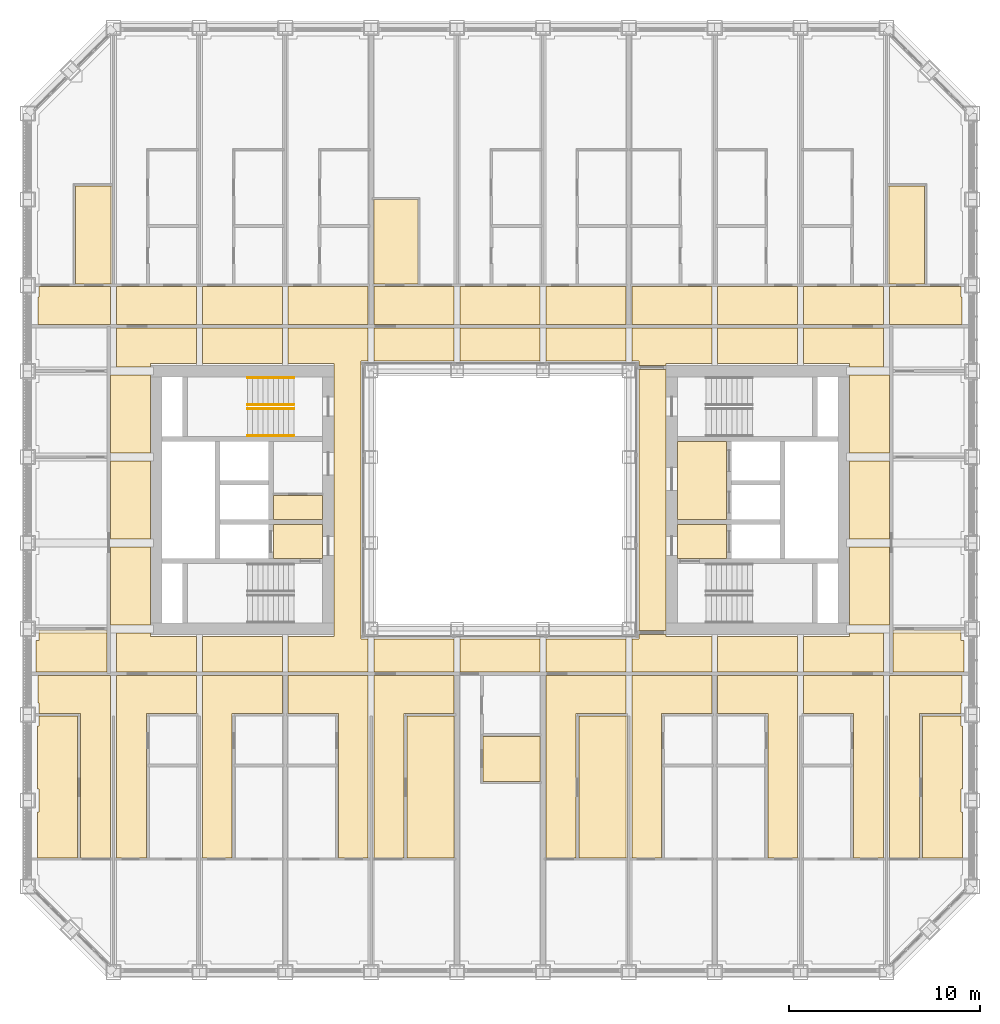
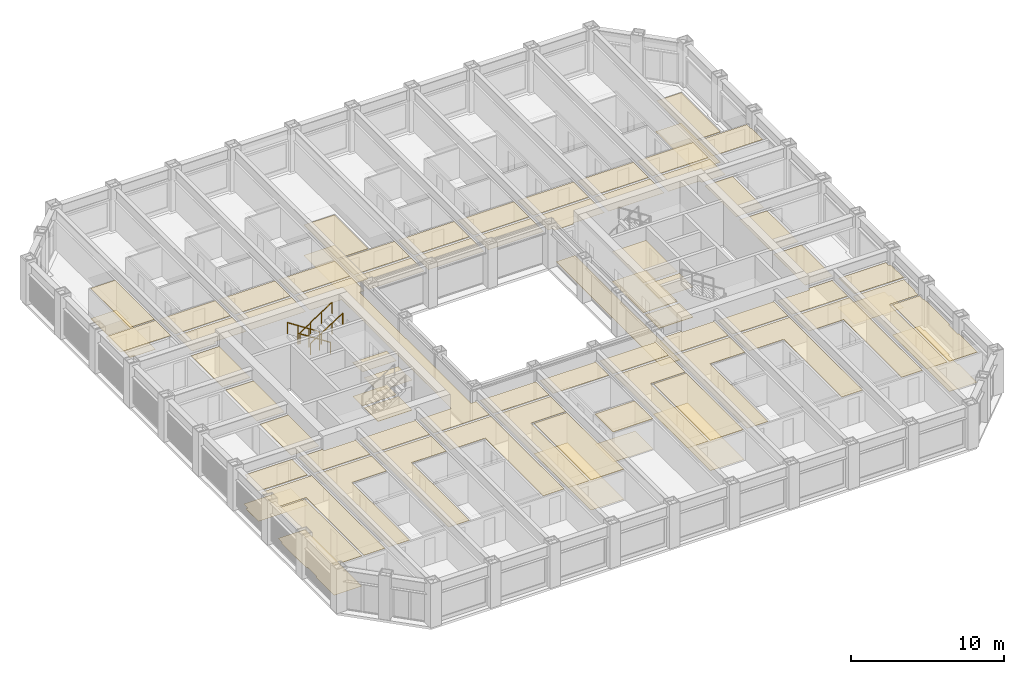
# One storey, part 18 of 21: 5 coverings, 4 railings.
"""IFC4 building model written with IfcOpenShell, lengths in metres."""

from ifc_helpers import new_model, si_unit, direction, frame, origin, origin_2d, place, context, subcontext, project, spatial, line, indexed_curve, circle, outline, extrude, material, layer, layer_set, type_object, element, save


model = new_model("IFC4")

# Units and contexts
model_context = context("Model", 3, precision=1e-05, world=origin(), true_north=direction((0.0, 1.0)))
body_context = subcontext(model_context, "Body", "Model", "MODEL_VIEW")
ifc_project = project(units=[si_unit("LENGTHUNIT", "METRE"), si_unit("AREAUNIT", "SQUARE_METRE"), si_unit("VOLUMEUNIT", "CUBIC_METRE"), si_unit("PLANEANGLEUNIT", "RADIAN"), si_unit("MASSUNIT", "GRAM", prefix="KILO")], contexts=[model_context])

# Site, building, storey
site_placement = place(None, origin())
site = spatial("IfcSite", under=ifc_project, at=site_placement, CompositionType="ELEMENT")
building_placement = place(site_placement, origin())
building = spatial("IfcBuilding", under=site, at=building_placement, Name="Msasa Ring Tower", CompositionType="ELEMENT")
storey_placement = place(building_placement, frame((0.0, 0.0, 75.5)))
storey = spatial("IfcBuildingStorey", under=building, at=storey_placement, Name="L19", CompositionType="ELEMENT", Elevation=75.5)

# Coverings
ifc_material_1 = material(Name="Gypsum plasterboard on a steel suspension grid", Category="steel")
ifc_layer_1 = layer(ifc_material_1, 0.014892578125)
ifc_layer_set_1 = layer_set([ifc_layer_1], Name="C1 SUSPENDED PLASTERBOARD CEILING 15")
covering_type_1 = type_object("IfcCoveringType", Name="C1 SUSPENDED PLASTERBOARD CEILING 15", PredefinedType="CEILING", material=ifc_layer_set_1)
covering_1_placement = place(storey_placement, frame((0.0, 0.0, 2.39990234375)))
element("IfcCovering", 1, at=covering_1_placement, inside=storey, type_object=covering_type_1, Name="Suspended Plasterboard Ceiling 15 circulation L19", PredefinedType="CEILING", context=body_context, shape_type="SweptSolid", body=[
    extrude(outline(indexed_curve([(-21.969482421875, -18.757080078125), (-21.969482421875, -11.18701171875), (-24.1494140625, -11.18701171875), (-24.1494140625, -10.6494140625), (-24.199462890625, -10.6494140625), (-24.199462890625, -9.200439453125), (-20.404296875, -9.200439453125), (-20.404296875, -18.757080078125)], segments=[line(1, 2, 3, 4, 5, 6, 7, 8, 1)], self_intersect=False)), origin(), (0.0, 0.0, 1.0), 0.01513671875),
    extrude(outline(indexed_curve([(-24.199462890625, 10.6494140625), (-24.1494140625, 10.6494140625), (-24.1494140625, 11.18701171875), (-20.404296875, 11.18701171875), (-20.404296875, 9.200439453125), (-24.199462890625, 9.200439453125)], segments=[line(1, 2, 3, 4, 5, 6, 1)], self_intersect=False)), origin(), (0.0, 0.0, 1.0), 0.01513671875),
    extrude(outline(indexed_curve([(-20.3994140625, -2.460693359375), (-18.300537109375, -2.460693359375), (-18.300537109375, -6.539306640625), (-20.3994140625, -6.539306640625)], segments=[line(1, 2, 3, 4, 1)], self_intersect=False)), origin(), (0.0, 0.0, 1.0), 0.01513671875),
    extrude(outline(indexed_curve([(-20.3994140625, 2.039306640625), (-18.300537109375, 2.039306640625), (-18.300537109375, -2.039306640625), (-20.3994140625, -2.039306640625)], segments=[line(1, 2, 3, 4, 1)], self_intersect=False)), origin(), (0.0, 0.0, 1.0), 0.01513671875),
    extrude(outline(indexed_curve([(-20.3994140625, 6.539306640625), (-18.300537109375, 6.539306640625), (-18.300537109375, 2.460693359375), (-20.3994140625, 2.460693359375)], segments=[line(1, 2, 3, 4, 1)], self_intersect=False)), origin(), (0.0, 0.0, 1.0), 0.01513671875),
    extrude(outline(indexed_curve([(-18.530517578125, -11.18701171875), (-18.530517578125, -18.757080078125), (-20.095703125, -18.757080078125), (-20.095703125, -9.200439453125), (-15.904296875, -9.200439453125), (-15.904296875, -11.18701171875)], segments=[line(1, 2, 3, 4, 5, 6, 1)], self_intersect=False)), origin(), (0.0, 0.0, 1.0), 0.01513671875),
    extrude(outline(indexed_curve([(-20.095703125, -8.99951171875), (-20.095703125, -6.960693359375), (-18.300537109375, -6.960693359375), (-18.300537109375, -7.150390625), (-15.904296875, -7.150390625), (-15.904296875, -8.99951171875)], segments=[line(1, 2, 3, 4, 5, 6, 1)], self_intersect=False)), origin(), (0.0, 0.0, 1.0), 0.01513671875),
    extrude(outline(indexed_curve([(-15.904296875, 8.99951171875), (-15.904296875, 7.150390625), (-18.300537109375, 7.150390625), (-18.300537109375, 6.960693359375), (-20.095703125, 6.960693359375), (-20.095703125, 8.99951171875)], segments=[line(1, 2, 3, 4, 5, 6, 1)], self_intersect=False)), origin(), (0.0, 0.0, 1.0), 0.01513671875),
    extrude(outline(indexed_curve([(-15.904296875, 11.18701171875), (-15.904296875, 9.200439453125), (-20.095703125, 9.200439453125), (-20.095703125, 11.18701171875)], segments=[line(1, 2, 3, 4, 1)], self_intersect=False)), origin(), (0.0, 0.0, 1.0), 0.01513671875),
    extrude(outline(indexed_curve([(-11.404296875, -9.200439453125), (-11.404296875, -11.18701171875), (-14.030517578125, -11.18701171875), (-14.030517578125, -18.757080078125), (-15.595703125, -18.757080078125), (-15.595703125, -9.200439453125)], segments=[line(1, 2, 3, 4, 5, 6, 1)], self_intersect=False)), origin(), (0.0, 0.0, 1.0), 0.01513671875),
    extrude(outline(indexed_curve([(-15.595703125, -8.99951171875), (-15.595703125, -7.150390625), (-11.404296875, -7.150390625), (-11.404296875, -8.99951171875)], segments=[line(1, 2, 3, 4, 1)], self_intersect=False)), origin(), (0.0, 0.0, 1.0), 0.01513671875),
    extrude(outline(indexed_curve([(-11.404296875, 8.99951171875), (-11.404296875, 7.150390625), (-15.595703125, 7.150390625), (-15.595703125, 8.99951171875)], segments=[line(1, 2, 3, 4, 1)], self_intersect=False)), origin(), (0.0, 0.0, 1.0), 0.01513671875),
    extrude(outline(indexed_curve([(-11.404296875, 11.18701171875), (-11.404296875, 9.200439453125), (-15.595703125, 9.200439453125), (-15.595703125, 11.18701171875)], segments=[line(1, 2, 3, 4, 1)], self_intersect=False)), origin(), (0.0, 0.0, 1.0), 0.01513671875),
    extrude(outline(indexed_curve([(-11.87451171875, -3.074462890625), (-11.87451171875, -1.275390625), (-9.300537109375, -1.275390625), (-9.300537109375, -3.074462890625)], segments=[line(1, 2, 3, 4, 1)], self_intersect=False)), origin(), (0.0, 0.0, 1.0), 0.01513671875),
    extrude(outline(indexed_curve([(-8.469482421875, -18.757080078125), (-8.469482421875, -11.18701171875), (-11.095703125, -11.18701171875), (-11.095703125, -9.200439453125), (-6.904296875, -9.200439453125), (-6.904296875, -18.757080078125)], segments=[line(1, 2, 3, 4, 5, 6, 1)], self_intersect=False)), origin(), (0.0, 0.0, 1.0), 0.01513671875),
    extrude(outline(indexed_curve([(-11.095703125, -8.99951171875), (-11.095703125, -7.150390625), (-8.699462890625, -7.150390625), (-8.699462890625, 7.150390625), (-11.095703125, 7.150390625), (-11.095703125, 8.99951171875), (-6.904296875, 8.99951171875), (-6.904296875, 7.280029296875), (-7.275390625, 7.275390625), (-7.280517578125, 7.23046875), (-7.280517578125, -7.23046875), (-7.275390625, -7.275390625), (-6.904296875, -7.280029296875), (-6.904296875, -8.99951171875)], segments=[line(1, 2, 3, 4, 5, 6, 7, 8, 9, 10, 11, 12, 13, 14, 1)], self_intersect=False)), origin(), (0.0, 0.0, 1.0), 0.01513671875),
    extrude(outline(indexed_curve([(-6.904296875, 11.18701171875), (-6.904296875, 9.200439453125), (-11.095703125, 9.200439453125), (-11.095703125, 11.18701171875)], segments=[line(1, 2, 3, 4, 1)], self_intersect=False)), origin(), (0.0, 0.0, 1.0), 0.01513671875),
    extrude(outline(indexed_curve([(-6.595703125, -18.757080078125), (-6.595703125, -9.200439453125), (-2.404296875, -9.200439453125), (-2.404296875, -11.18701171875), (-5.030517578125, -11.18701171875), (-5.030517578125, -18.757080078125)], segments=[line(1, 2, 3, 4, 5, 6, 1)], self_intersect=False)), origin(), (0.0, 0.0, 1.0), 0.01513671875),
    extrude(outline(indexed_curve([(-6.595703125, -8.99951171875), (-6.595703125, -7.280029296875), (-2.404296875, -7.280029296875), (-2.404296875, -8.99951171875)], segments=[line(1, 2, 3, 4, 1)], self_intersect=False)), origin(), (0.0, 0.0, 1.0), 0.01513671875),
    extrude(outline(indexed_curve([(-2.404296875, 8.99951171875), (-2.404296875, 7.280029296875), (-6.595703125, 7.280029296875), (-6.595703125, 8.99951171875)], segments=[line(1, 2, 3, 4, 1)], self_intersect=False)), origin(), (0.0, 0.0, 1.0), 0.01513671875),
    extrude(outline(indexed_curve([(-6.595703125, 9.200439453125), (-6.595703125, 11.18701171875), (-2.404296875, 11.18701171875), (-2.404296875, 9.200439453125)], segments=[line(1, 2, 3, 4, 1)], self_intersect=False)), origin(), (0.0, 0.0, 1.0), 0.01513671875),
    extrude(outline(indexed_curve([(-2.095703125, -8.99951171875), (-2.095703125, -7.280029296875), (2.095703125, -7.280029296875), (2.095703125, -8.99951171875)], segments=[line(1, 2, 3, 4, 1)], self_intersect=False)), origin(), (0.0, 0.0, 1.0), 0.01513671875),
    extrude(outline(indexed_curve([(2.095703125, 8.99951171875), (2.095703125, 7.280029296875), (-2.095703125, 7.280029296875), (-2.095703125, 8.99951171875)], segments=[line(1, 2, 3, 4, 1)], self_intersect=False)), origin(), (0.0, 0.0, 1.0), 0.01513671875),
    extrude(outline(indexed_curve([(-2.095703125, 9.200439453125), (-2.095703125, 11.18701171875), (2.095703125, 11.18701171875), (2.095703125, 9.200439453125)], segments=[line(1, 2, 3, 4, 1)], self_intersect=False)), origin(), (0.0, 0.0, 1.0), 0.01513671875),
    extrude(outline(indexed_curve([(3.969482421875, -11.18701171875), (3.969482421875, -18.757080078125), (2.404296875, -18.757080078125), (2.404296875, -9.200439453125), (6.595703125, -9.200439453125), (6.595703125, -11.18701171875)], segments=[line(1, 2, 3, 4, 5, 6, 1)], self_intersect=False)), origin(), (0.0, 0.0, 1.0), 0.01513671875),
    extrude(outline(indexed_curve([(2.404296875, -8.99951171875), (2.404296875, -7.280029296875), (6.595703125, -7.280029296875), (6.595703125, -8.99951171875)], segments=[line(1, 2, 3, 4, 1)], self_intersect=False)), origin(), (0.0, 0.0, 1.0), 0.01513671875),
    extrude(outline(indexed_curve([(6.595703125, 8.99951171875), (6.595703125, 7.280029296875), (2.404296875, 7.280029296875), (2.404296875, 8.99951171875)], segments=[line(1, 2, 3, 4, 1)], self_intersect=False)), origin(), (0.0, 0.0, 1.0), 0.01513671875),
    extrude(outline(indexed_curve([(2.404296875, 9.200439453125), (2.404296875, 11.18701171875), (6.595703125, 11.18701171875), (6.595703125, 9.200439453125)], segments=[line(1, 2, 3, 4, 1)], self_intersect=False)), origin(), (0.0, 0.0, 1.0), 0.01513671875),
    extrude(outline(indexed_curve([(11.095703125, -9.200439453125), (11.095703125, -11.18701171875), (8.469482421875, -11.18701171875), (8.469482421875, -18.757080078125), (6.904296875, -18.757080078125), (6.904296875, -9.200439453125)], segments=[line(1, 2, 3, 4, 5, 6, 1)], self_intersect=False)), origin(), (0.0, 0.0, 1.0), 0.01513671875),
    extrude(outline(indexed_curve([(6.904296875, -8.99951171875), (6.904296875, -7.280029296875), (7.275390625, -7.275390625), (7.280029296875, -7.050537109375), (8.699462890625, -7.050537109375), (8.699462890625, -7.150390625), (11.095703125, -7.150390625), (11.095703125, -8.99951171875)], segments=[line(1, 2, 3, 4, 5, 6, 7, 8, 1)], self_intersect=False)), origin(), (0.0, 0.0, 1.0), 0.01513671875),
    extrude(outline(indexed_curve([(11.095703125, 8.99951171875), (11.095703125, 7.150390625), (8.699462890625, 7.150390625), (8.699462890625, 7.050537109375), (7.280029296875, 7.050537109375), (7.275390625, 7.275390625), (6.904296875, 7.280029296875), (6.904296875, 8.99951171875)], segments=[line(1, 2, 3, 4, 5, 6, 7, 8, 1)], self_intersect=False)), origin(), (0.0, 0.0, 1.0), 0.01513671875),
    extrude(outline(indexed_curve([(11.095703125, 11.18701171875), (11.095703125, 9.200439453125), (6.904296875, 9.200439453125), (6.904296875, 11.18701171875)], segments=[line(1, 2, 3, 4, 1)], self_intersect=False)), origin(), (0.0, 0.0, 1.0), 0.01513671875),
    extrude(outline(indexed_curve([(9.300537109375, -3.074462890625), (9.300537109375, -1.275390625), (11.87451171875, -1.275390625), (11.87451171875, -3.074462890625)], segments=[line(1, 2, 3, 4, 1)], self_intersect=False)), origin(), (0.0, 0.0, 1.0), 0.01513671875),
    extrude(outline(indexed_curve([(9.300537109375, 3.074462890625), (11.87451171875, 3.074462890625), (11.87451171875, -1.0244140625), (9.300537109375, -1.0244140625)], segments=[line(1, 2, 3, 4, 1)], self_intersect=False)), origin(), (0.0, 0.0, 1.0), 0.01513671875),
    extrude(outline(indexed_curve([(14.030517578125, -18.757080078125), (14.030517578125, -11.18701171875), (11.404296875, -11.18701171875), (11.404296875, -9.200439453125), (15.595703125, -9.200439453125), (15.595703125, -18.757080078125)], segments=[line(1, 2, 3, 4, 5, 6, 1)], self_intersect=False)), origin(), (0.0, 0.0, 1.0), 0.01513671875),
    extrude(outline(indexed_curve([(11.404296875, -8.99951171875), (11.404296875, -7.150390625), (15.595703125, -7.150390625), (15.595703125, -8.99951171875)], segments=[line(1, 2, 3, 4, 1)], self_intersect=False)), origin(), (0.0, 0.0, 1.0), 0.01513671875),
    extrude(outline(indexed_curve([(15.595703125, 8.99951171875), (15.595703125, 7.150390625), (11.404296875, 7.150390625), (11.404296875, 8.99951171875)], segments=[line(1, 2, 3, 4, 1)], self_intersect=False)), origin(), (0.0, 0.0, 1.0), 0.01513671875),
    extrude(outline(indexed_curve([(15.595703125, 11.18701171875), (15.595703125, 9.200439453125), (11.404296875, 9.200439453125), (11.404296875, 11.18701171875)], segments=[line(1, 2, 3, 4, 1)], self_intersect=False)), origin(), (0.0, 0.0, 1.0), 0.01513671875),
    extrude(outline(indexed_curve([(18.530517578125, -18.757080078125), (18.530517578125, -11.18701171875), (15.904296875, -11.18701171875), (15.904296875, -9.200439453125), (20.095703125, -9.200439453125), (20.095703125, -18.757080078125)], segments=[line(1, 2, 3, 4, 5, 6, 1)], self_intersect=False)), origin(), (0.0, 0.0, 1.0), 0.01513671875),
    extrude(outline(indexed_curve([(15.904296875, -8.99951171875), (15.904296875, -7.150390625), (18.300537109375, -7.150390625), (18.300537109375, -6.960693359375), (20.095703125, -6.960693359375), (20.095703125, -8.99951171875)], segments=[line(1, 2, 3, 4, 5, 6, 1)], self_intersect=False)), origin(), (0.0, 0.0, 1.0), 0.01513671875),
    extrude(outline(indexed_curve([(20.095703125, 8.99951171875), (20.095703125, 6.960693359375), (18.300537109375, 6.960693359375), (18.300537109375, 7.150390625), (15.904296875, 7.150390625), (15.904296875, 8.99951171875)], segments=[line(1, 2, 3, 4, 5, 6, 1)], self_intersect=False)), origin(), (0.0, 0.0, 1.0), 0.01513671875),
    extrude(outline(indexed_curve([(20.095703125, 11.18701171875), (20.095703125, 9.200439453125), (15.904296875, 9.200439453125), (15.904296875, 11.18701171875)], segments=[line(1, 2, 3, 4, 1)], self_intersect=False)), origin(), (0.0, 0.0, 1.0), 0.01513671875),
    extrude(outline(indexed_curve([(20.3994140625, -6.539306640625), (18.300537109375, -6.539306640625), (18.300537109375, -2.460693359375), (20.3994140625, -2.460693359375)], segments=[line(1, 2, 3, 4, 1)], self_intersect=False)), origin(), (0.0, 0.0, 1.0), 0.01513671875),
    extrude(outline(indexed_curve([(20.3994140625, -2.039306640625), (18.300537109375, -2.039306640625), (18.300537109375, 2.039306640625), (20.3994140625, 2.039306640625)], segments=[line(1, 2, 3, 4, 1)], self_intersect=False)), origin(), (0.0, 0.0, 1.0), 0.01513671875),
    extrude(outline(indexed_curve([(20.3994140625, 2.460693359375), (18.300537109375, 2.460693359375), (18.300537109375, 6.539306640625), (20.3994140625, 6.539306640625)], segments=[line(1, 2, 3, 4, 1)], self_intersect=False)), origin(), (0.0, 0.0, 1.0), 0.01513671875),
    extrude(outline(indexed_curve([(24.199462890625, -9.200439453125), (24.199462890625, -10.6494140625), (24.1494140625, -10.6494140625), (24.1494140625, -11.18701171875), (21.969482421875, -11.18701171875), (21.969482421875, -18.757080078125), (20.404296875, -18.757080078125), (20.404296875, -9.200439453125)], segments=[line(1, 2, 3, 4, 5, 6, 7, 8, 1)], self_intersect=False)), origin(), (0.0, 0.0, 1.0), 0.01513671875),
    extrude(outline(indexed_curve([(24.1494140625, 11.18701171875), (24.1494140625, 10.6494140625), (24.199462890625, 10.6494140625), (24.199462890625, 9.200439453125), (20.404296875, 9.200439453125), (20.404296875, 11.18701171875)], segments=[line(1, 2, 3, 4, 5, 6, 1)], self_intersect=False)), origin(), (0.0, 0.0, 1.0), 0.01513671875),
])
ifc_material_2 = material(Name="Mineral fibre ceiling tiles on an exposed steel grid", Category="steel")
ifc_layer_2 = layer(ifc_material_2, 0.02001953125)
ifc_layer_set_2 = layer_set([ifc_layer_2], Name="C3 ACOUSTIC MINERAL FIBRE TILE CEILING 20")
covering_type_2 = type_object("IfcCoveringType", Name="C3 ACOUSTIC MINERAL FIBRE TILE CEILING 20", PredefinedType="CEILING", material=ifc_layer_set_2)
covering_2_placement = place(storey_placement, frame((0.0, 0.0, 2.699951171875)))
element("IfcCovering", 2, at=covering_2_placement, inside=storey, type_object=covering_type_2, Name="Acoustic Mineral Fibre Tile Ceiling 20 L19", PredefinedType="CEILING", context=body_context, shape_type="SweptSolid", body=[
    extrude(outline(indexed_curve([(-11.87451171875, 0.244384765625), (-9.300537109375, 0.244384765625), (-9.300537109375, -1.0244140625), (-11.87451171875, -1.0244140625)], segments=[line(1, 2, 3, 4, 1)], self_intersect=False)), origin(), (0.0, 0.0, 1.0), 0.02001953125),
])
ifc_material_3 = material(Name="Perforated aluminium ceiling pans on a steel grid", Category="steel")
ifc_layer_3 = layer(ifc_material_3, 0.02490234375)
ifc_layer_set_3 = layer_set([ifc_layer_3], Name="C4 PERFORATED METAL PAN CEILING 25")
covering_type_3 = type_object("IfcCoveringType", Name="C4 PERFORATED METAL PAN CEILING 25", PredefinedType="CEILING", material=ifc_layer_set_3)
covering_3_placement = place(storey_placement, frame((0.0, 0.0, 2.39990234375)))
element("IfcCovering", 3, at=covering_3_placement, inside=storey, type_object=covering_type_3, Name="Perforated Metal Pan Ceiling 25 L19", PredefinedType="CEILING", context=body_context, shape_type="SweptSolid", body=[
    extrude(outline(indexed_curve([(-20.6005859375, -8.99951171875), (-24.299560546875, -8.99951171875), (-24.299560546875, -7.3505859375), (-24.1494140625, -7.3505859375), (-24.1494140625, -6.960693359375), (-20.6005859375, -6.960693359375)], segments=[line(1, 2, 3, 4, 5, 6, 1)], self_intersect=False)), origin(), (0.0, 0.0, 1.0), 0.025146484375),
    extrude(outline(indexed_curve([(-24.23193359375, -18.757080078125), (-24.23193359375, -16.3505859375), (-24.1494140625, -16.3505859375), (-24.1494140625, -15.1494140625), (-24.23193359375, -15.1494140625), (-24.23193359375, -11.8505859375), (-24.1494140625, -11.8505859375), (-24.1494140625, -11.318115234375), (-22.130615234375, -11.318115234375), (-22.130615234375, -18.757080078125)], segments=[line(1, 2, 3, 4, 5, 6, 7, 8, 9, 10, 1)], self_intersect=False)), origin(), (0.0, 0.0, 1.0), 0.025146484375),
    extrude(outline(indexed_curve([(-22.24951171875, 16.4619140625), (-20.404296875, 16.4619140625), (-20.404296875, 11.31298828125), (-22.24951171875, 11.31298828125)], segments=[line(1, 2, 3, 4, 1)], self_intersect=False)), origin(), (0.0, 0.0, 1.0), 0.025146484375),
    extrude(outline(indexed_curve([(-6.595703125, 11.31298828125), (-6.595703125, 15.741943359375), (-4.300537109375, 15.741943359375), (-4.300537109375, 11.31298828125)], segments=[line(1, 2, 3, 4, 1)], self_intersect=False)), origin(), (0.0, 0.0, 1.0), 0.025146484375),
    extrude(outline(indexed_curve([(-4.869384765625, -18.757080078125), (-4.869384765625, -11.318115234375), (-2.404296875, -11.318115234375), (-2.404296875, -18.757080078125)], segments=[line(1, 2, 3, 4, 1)], self_intersect=False)), origin(), (0.0, 0.0, 1.0), 0.025146484375),
    extrude(outline(indexed_curve([(-0.8994140625, -12.380615234375), (2.095703125, -12.380615234375), (2.095703125, -14.744384765625), (-0.8994140625, -14.744384765625)], segments=[line(1, 2, 3, 4, 1)], self_intersect=False)), origin(), (0.0, 0.0, 1.0), 0.025146484375),
    extrude(outline(indexed_curve([(4.130615234375, -18.757080078125), (4.130615234375, -11.318115234375), (6.595703125, -11.318115234375), (6.595703125, -18.757080078125)], segments=[line(1, 2, 3, 4, 1)], self_intersect=False)), origin(), (0.0, 0.0, 1.0), 0.025146484375),
    extrude(outline(indexed_curve([(22.24951171875, 16.4619140625), (22.24951171875, 11.31298828125), (20.404296875, 11.31298828125), (20.404296875, 16.4619140625)], segments=[line(1, 2, 3, 4, 1)], self_intersect=False)), origin(), (0.0, 0.0, 1.0), 0.025146484375),
    extrude(outline(indexed_curve([(24.299560546875, -8.99951171875), (20.6005859375, -8.99951171875), (20.6005859375, -6.960693359375), (24.1494140625, -6.960693359375), (24.1494140625, -7.3505859375), (24.299560546875, -7.3505859375)], segments=[line(1, 2, 3, 4, 5, 6, 1)], self_intersect=False)), origin(), (0.0, 0.0, 1.0), 0.025146484375),
    extrude(outline(indexed_curve([(22.130615234375, -11.318115234375), (24.1494140625, -11.318115234375), (24.1494140625, -11.8505859375), (24.23193359375, -11.8505859375), (24.23193359375, -15.1494140625), (24.1494140625, -15.1494140625), (24.1494140625, -16.3505859375), (24.23193359375, -16.3505859375), (24.23193359375, -18.757080078125), (22.130615234375, -18.757080078125)], segments=[line(1, 2, 3, 4, 5, 6, 7, 8, 9, 10, 1)], self_intersect=False)), origin(), (0.0, 0.0, 1.0), 0.025146484375),
])
ifc_material_4 = material(Name="Honed granite tiles on a mortar bed", Category="masonry")
ifc_layer_4 = layer(ifc_material_4, 0.030029296875)
ifc_layer_set_4 = layer_set([ifc_layer_4], Name="F1 HONED GRANITE ON BEDDING 30")
covering_type_4 = type_object("IfcCoveringType", Name="F1 HONED GRANITE ON BEDDING 30", PredefinedType="FLOORING", material=ifc_layer_set_4)
covering_4_placement = place(storey_placement, origin())
element("IfcCovering", 4, at=covering_4_placement, inside=storey, type_object=covering_type_4, Name="Honed Granite On Bedding 30 L19", PredefinedType="FLOORING", context=body_context, shape_type="SweptSolid", body=[
    extrude(outline(indexed_curve([(-11.87451171875, -3.074462890625), (-11.87451171875, -1.275390625), (-9.300537109375, -1.275390625), (-9.300537109375, -3.074462890625)], segments=[line(1, 2, 3, 4, 1)], self_intersect=False)), origin(), (0.0, 0.0, 1.0), 0.030029296875),
    extrude(outline(indexed_curve([(7.280029296875, -6.849609375), (7.280029296875, 6.849609375), (8.699462890625, 6.849609375), (8.699462890625, -6.849609375)], segments=[line(1, 2, 3, 4, 1)], self_intersect=False)), origin(), (0.0, 0.0, 1.0), 0.030029296875),
    extrude(outline(indexed_curve([(9.300537109375, -3.074462890625), (9.300537109375, -1.275390625), (11.87451171875, -1.275390625), (11.87451171875, -3.074462890625)], segments=[line(1, 2, 3, 4, 1)], self_intersect=False)), origin(), (0.0, 0.0, 1.0), 0.030029296875),
    extrude(outline(indexed_curve([(9.300537109375, -1.0244140625), (9.300537109375, 3.074462890625), (11.87451171875, 3.074462890625), (11.87451171875, -1.0244140625)], segments=[line(1, 2, 3, 4, 1)], self_intersect=False)), origin(), (0.0, 0.0, 1.0), 0.030029296875),
])
ifc_material_5 = material(Name="Welded vinyl safety sheet flooring", Category="vinyl")
ifc_layer_5 = layer(ifc_material_5, 0.0029296875)
ifc_layer_set_5 = layer_set([ifc_layer_5], Name="F5 RESILIENT SHEET FLOORING 3")
covering_type_5 = type_object("IfcCoveringType", Name="F5 RESILIENT SHEET FLOORING 3", PredefinedType="FLOORING", material=ifc_layer_set_5)
covering_5_placement = place(storey_placement, origin())
element("IfcCovering", 5, at=covering_5_placement, inside=storey, type_object=covering_type_5, Name="Resilient Sheet Flooring 3 L19", PredefinedType="FLOORING", context=body_context, shape_type="SweptSolid", body=[
    extrude(outline(indexed_curve([(-20.6005859375, -8.99951171875), (-24.299560546875, -8.99951171875), (-24.299560546875, -7.3505859375), (-24.1494140625, -7.3505859375), (-24.1494140625, -6.805419921875), (-20.6005859375, -6.805419921875)], segments=[line(1, 2, 3, 4, 5, 6, 1)], self_intersect=False)), origin(), (0.0, 0.0, 1.0), 0.0029296875),
    extrude(outline(indexed_curve([(-24.23193359375, -16.3505859375), (-24.1494140625, -16.3505859375), (-24.1494140625, -15.1494140625), (-24.23193359375, -15.1494140625), (-24.23193359375, -11.8505859375), (-24.1494140625, -11.8505859375), (-24.1494140625, -11.318115234375), (-22.130615234375, -11.318115234375), (-22.130615234375, -18.74951171875), (-24.23193359375, -18.74951171875)], segments=[line(1, 2, 3, 4, 5, 6, 7, 8, 9, 10, 1)], self_intersect=False)), origin(), (0.0, 0.0, 1.0), 0.0029296875),
    extrude(outline(indexed_curve([(-22.24951171875, 16.4619140625), (-20.318115234375, 16.4619140625), (-20.318115234375, 11.31298828125), (-22.24951171875, 11.31298828125)], segments=[line(1, 2, 3, 4, 1)], self_intersect=False)), origin(), (0.0, 0.0, 1.0), 0.0029296875),
    extrude(outline(indexed_curve([(-9.300537109375, 0.244384765625), (-9.300537109375, -1.0244140625), (-11.87451171875, -1.0244140625), (-11.87451171875, 0.244384765625)], segments=[line(1, 2, 3, 4, 1)], self_intersect=False)), origin(), (0.0, 0.0, 1.0), 0.0029296875),
    extrude(outline(indexed_curve([(-4.300537109375, 15.741943359375), (-4.300537109375, 11.31298828125), (-6.62451171875, 11.31298828125), (-6.62451171875, 15.741943359375)], segments=[line(1, 2, 3, 4, 1)], self_intersect=False)), origin(), (0.0, 0.0, 1.0), 0.0029296875),
    extrude(outline(indexed_curve([(-4.869384765625, -11.318115234375), (-2.37548828125, -11.318115234375), (-2.37548828125, -18.74951171875), (-4.869384765625, -18.74951171875)], segments=[line(1, 2, 3, 4, 1)], self_intersect=False)), origin(), (0.0, 0.0, 1.0), 0.0029296875),
    extrude(outline(indexed_curve([(2.12451171875, -12.380615234375), (2.12451171875, -14.744384765625), (-0.8994140625, -14.744384765625), (-0.8994140625, -12.380615234375)], segments=[line(1, 2, 3, 4, 1)], self_intersect=False)), origin(), (0.0, 0.0, 1.0), 0.0029296875),
    extrude(outline(indexed_curve([(6.681884765625, -11.318115234375), (6.681884765625, -18.74951171875), (4.130615234375, -18.74951171875), (4.130615234375, -11.318115234375)], segments=[line(1, 2, 3, 4, 1)], self_intersect=False)), origin(), (0.0, 0.0, 1.0), 0.0029296875),
    extrude(outline(indexed_curve([(22.24951171875, 16.4619140625), (22.24951171875, 11.31298828125), (20.318115234375, 11.31298828125), (20.318115234375, 16.4619140625)], segments=[line(1, 2, 3, 4, 1)], self_intersect=False)), origin(), (0.0, 0.0, 1.0), 0.0029296875),
    extrude(outline(indexed_curve([(20.6005859375, -6.805419921875), (24.1494140625, -6.805419921875), (24.1494140625, -7.3505859375), (24.299560546875, -7.3505859375), (24.299560546875, -8.99951171875), (20.6005859375, -8.99951171875)], segments=[line(1, 2, 3, 4, 5, 6, 1)], self_intersect=False)), origin(), (0.0, 0.0, 1.0), 0.0029296875),
    extrude(outline(indexed_curve([(24.1494140625, -11.318115234375), (24.1494140625, -11.8505859375), (24.23193359375, -11.8505859375), (24.23193359375, -15.1494140625), (24.1494140625, -15.1494140625), (24.1494140625, -16.3505859375), (24.23193359375, -16.3505859375), (24.23193359375, -18.74951171875), (22.130615234375, -18.74951171875), (22.130615234375, -11.318115234375)], segments=[line(1, 2, 3, 4, 5, 6, 7, 8, 9, 10, 1)], self_intersect=False)), origin(), (0.0, 0.0, 1.0), 0.0029296875),
])

# Railings
ifc_material_6 = material(Name="Stainless steel", Category="steel")
railing_type = type_object("IfcRailingType", Name="HR1 HANDRAIL 900", PredefinedType="HANDRAIL", material=ifc_material_6)
for number, where, name in (
    (6, (-10.800048828125, 5.0, 0.175048828125), "Handrail stair SWB L19 1"),
    (7, (-10.800048828125, 6.39990234375, 0.175048828125), "Handrail stair SWB L19 2"),
):
    element("IfcRailing", number, at=place(storey_placement, frame(where)), inside=storey, type_object=railing_type, Name=name, PredefinedType="HANDRAIL", context=body_context, shape_type="SweptSolid", body=[
        extrude(circle(Radius=0.02392578125, at=origin_2d()), frame((0.0, 0.0, 0.8759765625), z_axis=(-0.839153699163, 0.0, 0.543894354798), x_axis=(0.0, -1.0, 0.0)), (0.0, 0.0, 1.0), 2.895751953125),
        extrude(circle(Radius=0.02099609375, at=origin_2d()), origin(), (0.0, 0.0, 1.0), 0.851806640625),
        extrude(circle(Radius=0.02099609375, at=origin_2d()), frame((-0.81005859375, 0.0, 0.52490234375)), (0.0, 0.0, 1.0), 0.851806640625),
        extrude(circle(Radius=0.02099609375, at=origin_2d()), frame((-1.619873046875, 0.0, 1.050048828125)), (0.0, 0.0, 1.0), 0.851806640625),
        extrude(circle(Radius=0.02099609375, at=origin_2d()), frame((-2.429931640625, 0.0, 1.574951171875)), (0.0, 0.0, 1.0), 0.851806640625),
    ])
for number, where, name in (
    (8, (-13.22998046875, 3.375, 1.925048828125), "Handrail stair SWB L19 3"),
    (9, (-13.22998046875, 4.77490234375, 1.925048828125), "Handrail stair SWB L19 4"),
):
    element("IfcRailing", number, at=place(storey_placement, frame(where)), inside=storey, type_object=railing_type, Name=name, PredefinedType="HANDRAIL", context=body_context, shape_type="SweptSolid", body=[
        extrude(circle(Radius=0.02392578125, at=origin_2d()), frame((0.0, 0.0, 0.8759765625), z_axis=(0.839153699163, 0.0, 0.543894354798), x_axis=(0.0, 1.0, 0.0)), (0.0, 0.0, 1.0), 2.895751953125),
        extrude(circle(Radius=0.02099609375, at=origin_2d()), origin(), (0.0, 0.0, 1.0), 0.851806640625),
        extrude(circle(Radius=0.02099609375, at=origin_2d()), frame((0.81005859375, 0.0, 0.52490234375)), (0.0, 0.0, 1.0), 0.851806640625),
        extrude(circle(Radius=0.02099609375, at=origin_2d()), frame((1.619873046875, 0.0, 1.050048828125)), (0.0, 0.0, 1.0), 0.851806640625),
        extrude(circle(Radius=0.02099609375, at=origin_2d()), frame((2.429931640625, 0.0, 1.574951171875)), (0.0, 0.0, 1.0), 0.851806640625),
    ])

save(model, "model.ifc")
